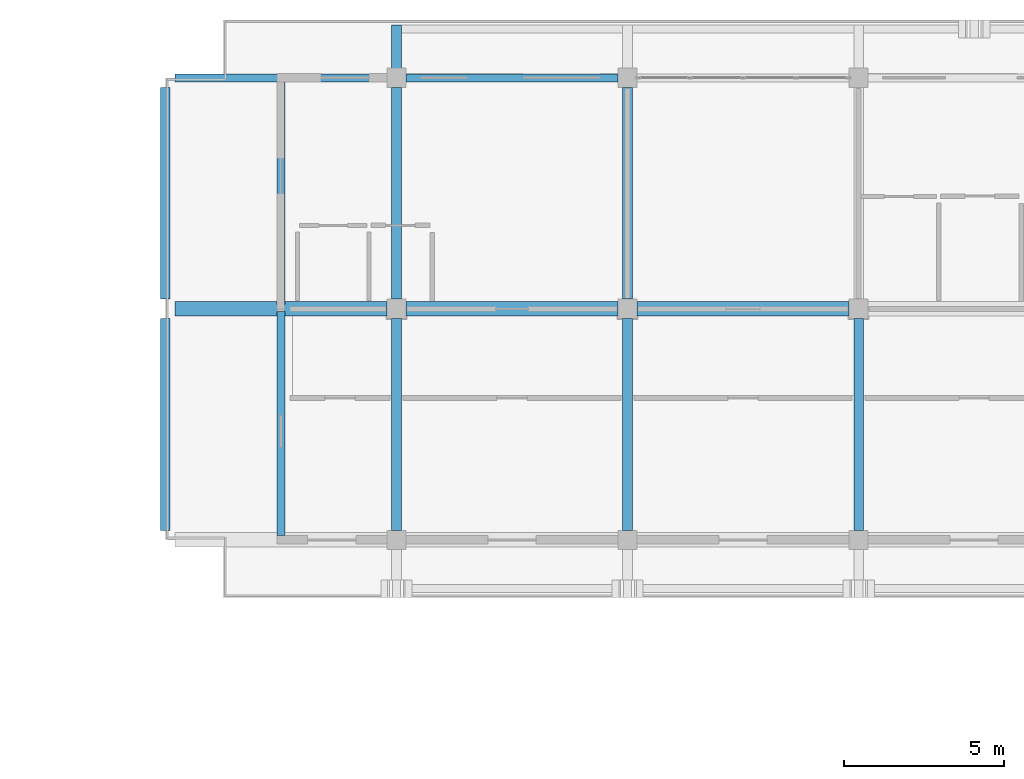
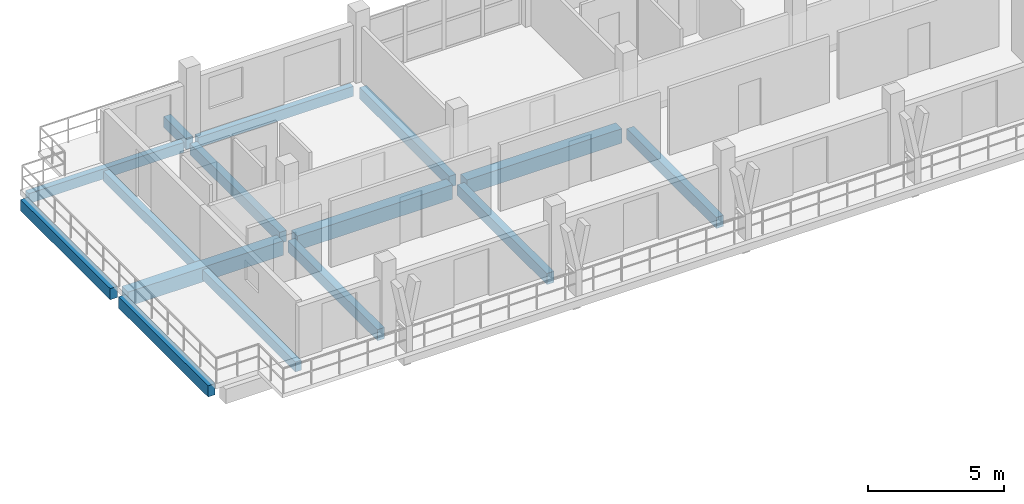
# One storey, part 8 of 67: 15 beams.
"""IFC4 building model written with IfcOpenShell, lengths in metres."""

from ifc_helpers import new_model, si_unit, direction, frame, origin, origin_2d, place, context, subcontext, project, spatial, rectangle, extrude, material, material_profile, profile_set, type_object, element, save


model = new_model("IFC4")

# Units and contexts
model_context = context("Model", 3, precision=1e-05, world=origin(), true_north=direction((0.0, 1.0)))
body_context = subcontext(model_context, "Body", "Model", "MODEL_VIEW")
ifc_project = project(units=[si_unit("LENGTHUNIT", "METRE"), si_unit("AREAUNIT", "SQUARE_METRE"), si_unit("VOLUMEUNIT", "CUBIC_METRE"), si_unit("PLANEANGLEUNIT", "RADIAN"), si_unit("MASSUNIT", "GRAM", prefix="KILO")], contexts=[model_context])

# Site, building, storey
site_placement = place(None, origin())
site = spatial("IfcSite", under=ifc_project, at=site_placement, CompositionType="ELEMENT")
building_placement = place(site_placement, origin())
building = spatial("IfcBuilding", under=site, at=building_placement, Name="Suanplinth Sawtooth Commons", CompositionType="ELEMENT")
storey_placement = place(building_placement, frame((0.0, 0.0, 25.10009765625)))
storey = spatial("IfcBuildingStorey", under=building, at=storey_placement, Name="L07", CompositionType="ELEMENT", Elevation=25.10009765625)

# Beams
ifc_material = material(Name="Precast concrete C40/50", Category="concrete")
ifc_material_profile_1 = material_profile(ifc_material, rectangle(XDim=0.449951171875, YDim=0.64990234375, at=origin_2d()), Name="PC-GDR 450x650")
ifc_profile_set_1 = profile_set([ifc_material_profile_1], Name="Precast concrete C40/50")
beam_type_1 = type_object("IfcBeamType", Name="B-04", PredefinedType="USERDEFINED", material=ifc_profile_set_1)
for number, where, z_axis, x_axis, name in (
    (1, (7.5, 115.199951171875, -0.545166015625), (1.0, 0.0, 0.0), (0.0, 1.0, 0.0), "BMX-L07-A-1-16"),
    (2, (14.699951171875, 115.199951171875, -0.545166015625), (1.0, 0.0, 0.0), (0.0, 1.0, 0.0), "BMX-L07-A-2-16"),
    (3, (21.89990234375, 115.199951171875, -0.545166015625), (1.0, 0.0, 0.0), (0.0, 1.0, 0.0), "BMX-L07-A-3-16"),
):
    element("IfcBeam", number, at=place(storey_placement, frame(where, z_axis=z_axis, x_axis=x_axis)), inside=storey, type_object=beam_type_1, Name=name, ObjectType="GIRDER", PredefinedType="USERDEFINED", context=body_context, shape_type="SweptSolid", body=[
        extrude(rectangle(XDim=0.449951171875, YDim=0.64990234375, at=origin_2d()), origin(), (0.0, 0.0, 1.0), 6.60009765625),
    ])
ifc_material_profile_2 = material_profile(ifc_material, rectangle(XDim=0.300048828125, YDim=0.5, at=origin_2d()), Name="PC-BM 300x500")
ifc_profile_set_2 = profile_set([ifc_material_profile_2], Name="Precast concrete C40/50")
beam_type_2 = type_object("IfcBeamType", Name="B-07", PredefinedType="BEAM", material=ifc_profile_set_2)
beam_1_placement = place(storey_placement, frame((7.199951171875, 108.300048828125, -0.47021484375), z_axis=(0.0, 1.0, 0.0), x_axis=(-1.0, 0.0, 0.0)))
element("IfcBeam", 4, at=beam_1_placement, inside=storey, type_object=beam_type_2, Name="BMY-L07-A-1-15", PredefinedType="BEAM", context=body_context, shape_type="SweptSolid", body=[
    extrude(rectangle(XDim=0.300048828125, YDim=0.5, at=origin_2d()), origin(), (0.0, 0.0, 1.0), 6.599853515625),
])
beam_2_placement = place(storey_placement, frame((7.199951171875, 115.5, -0.47021484375), z_axis=(0.0, 1.0, 0.0), x_axis=(-1.0, 0.0, 0.0)))
element("IfcBeam", 5, at=beam_2_placement, inside=storey, type_object=beam_type_2, Name="BMY-L07-A-1-16", PredefinedType="BEAM", context=body_context, shape_type="SweptSolid", body=[
    extrude(rectangle(XDim=0.300048828125, YDim=0.5, at=origin_2d()), origin(), (0.0, 0.0, 1.0), 6.60009765625),
])
beam_3_placement = place(storey_placement, frame((14.39990234375, 108.300048828125, -0.47021484375), z_axis=(0.0, 1.0, 0.0), x_axis=(-1.0, 0.0, 0.0)))
element("IfcBeam", 6, at=beam_3_placement, inside=storey, type_object=beam_type_2, Name="BMY-L07-A-2-15", PredefinedType="BEAM", context=body_context, shape_type="SweptSolid", body=[
    extrude(rectangle(XDim=0.300048828125, YDim=0.5, at=origin_2d()), origin(), (0.0, 0.0, 1.0), 6.599853515625),
])
beam_4_placement = place(storey_placement, frame((14.39990234375, 115.5, -0.47021484375), z_axis=(0.0, 1.0, 0.0), x_axis=(-1.0, 0.0, 0.0)))
element("IfcBeam", 7, at=beam_4_placement, inside=storey, type_object=beam_type_2, Name="BMY-L07-A-2-16", PredefinedType="BEAM", context=body_context, shape_type="SweptSolid", body=[
    extrude(rectangle(XDim=0.300048828125, YDim=0.5, at=origin_2d()), origin(), (0.0, 0.0, 1.0), 6.60009765625),
])
beam_5_placement = place(storey_placement, frame((21.60009765625, 108.300048828125, -0.47021484375), z_axis=(0.0, 1.0, 0.0), x_axis=(-1.0, 0.0, 0.0)))
element("IfcBeam", 8, at=beam_5_placement, inside=storey, type_object=beam_type_2, Name="BMY-L07-A-3-15", PredefinedType="BEAM", context=body_context, shape_type="SweptSolid", body=[
    extrude(rectangle(XDim=0.300048828125, YDim=0.5, at=origin_2d()), origin(), (0.0, 0.0, 1.0), 6.599853515625),
])
beam_6_placement = place(storey_placement, frame((21.60009765625, 115.5, -0.47021484375), z_axis=(0.0, 1.0, 0.0), x_axis=(-1.0, 0.0, 0.0)))
element("IfcBeam", 9, at=beam_6_placement, inside=storey, type_object=beam_type_2, Name="BMY-L07-A-3-16", PredefinedType="BEAM", context=body_context, shape_type="SweptSolid", body=[
    extrude(rectangle(XDim=0.300048828125, YDim=0.5, at=origin_2d()), origin(), (0.0, 0.0, 1.0), 6.60009765625),
])
beam_7_placement = place(storey_placement, frame((28.800048828125, 108.300048828125, -0.47021484375), z_axis=(0.0, 1.0, 0.0), x_axis=(-1.0, 0.0, 0.0)))
element("IfcBeam", 10, at=beam_7_placement, inside=storey, type_object=beam_type_2, Name="BMY-L07-A-4-15", PredefinedType="BEAM", context=body_context, shape_type="SweptSolid", body=[
    extrude(rectangle(XDim=0.300048828125, YDim=0.5, at=origin_2d()), origin(), (0.0, 0.0, 1.0), 6.599853515625),
])
beam_8_placement = place(storey_placement, frame((14.39990234375, 122.39990234375, -0.43017578125), z_axis=(0.0, 1.0, 0.0), x_axis=(-1.0, 0.0, 0.0)))
element("IfcBeam", 11, at=beam_8_placement, inside=storey, type_object=beam_type_2, Name="Balcony Outrigger L07-A-N-2", PredefinedType="BEAM", context=body_context, shape_type="SweptSolid", body=[
    extrude(rectangle(XDim=0.300048828125, YDim=0.5, at=origin_2d()), origin(), (0.0, 0.0, 1.0), 1.64013671875),
])
ifc_material_profile_3 = material_profile(ifc_material, rectangle(XDim=0.25, YDim=0.449951171875, at=origin_2d()), Name="PC-SP 250x450")
ifc_profile_set_3 = profile_set([ifc_material_profile_3], Name="Precast concrete C40/50")
beam_type_3 = type_object("IfcBeamType", Name="B-09", PredefinedType="SPANDREL", material=ifc_profile_set_3)
for number, where, z_axis, x_axis, name in (
    (12, (7.5, 122.39990234375, -0.445068359375), (1.0, 0.0, 0.0), (0.0, 1.0, 0.0), "BMX-L07-A-1-17"),
    (13, (14.699951171875, 122.39990234375, -0.445068359375), (1.0, 0.0, 0.0), (0.0, 1.0, 0.0), "BMX-L07-A-2-17"),
):
    element("IfcBeam", number, at=place(storey_placement, frame(where, z_axis=z_axis, x_axis=x_axis)), inside=storey, type_object=beam_type_3, Name=name, PredefinedType="SPANDREL", context=body_context, shape_type="SweptSolid", body=[
        extrude(rectangle(XDim=0.25, YDim=0.449951171875, at=origin_2d()), origin(), (0.0, 0.0, 1.0), 6.60009765625),
    ])
beam_9_placement = place(storey_placement, frame((10.800048828125, 108.139892578125, -0.545166015625), z_axis=(0.0, 1.0, 0.0), x_axis=(-1.0, 0.0, 0.0)))
element("IfcBeam", 14, at=beam_9_placement, inside=storey, type_object=beam_type_3, Name="BMY-L07-A-STEP-108-15", PredefinedType="SPANDREL", context=body_context, shape_type="SweptSolid", body=[
    extrude(rectangle(XDim=0.25, YDim=0.449951171875, at=origin_2d()), origin(), (0.0, 0.0, 1.0), 6.980224609375),
])
beam_10_placement = place(storey_placement, frame((10.800048828125, 115.340087890625, -0.545166015625), z_axis=(0.0, 1.0, 0.0), x_axis=(-1.0, 0.0, 0.0)))
element("IfcBeam", 15, at=beam_10_placement, inside=storey, type_object=beam_type_3, Name="BMY-L07-A-STEP-108-16", PredefinedType="SPANDREL", context=body_context, shape_type="SweptSolid", body=[
    extrude(rectangle(XDim=0.25, YDim=0.449951171875, at=origin_2d()), origin(), (0.0, 0.0, 1.0), 6.97998046875),
])

save(model, "model.ifc")
